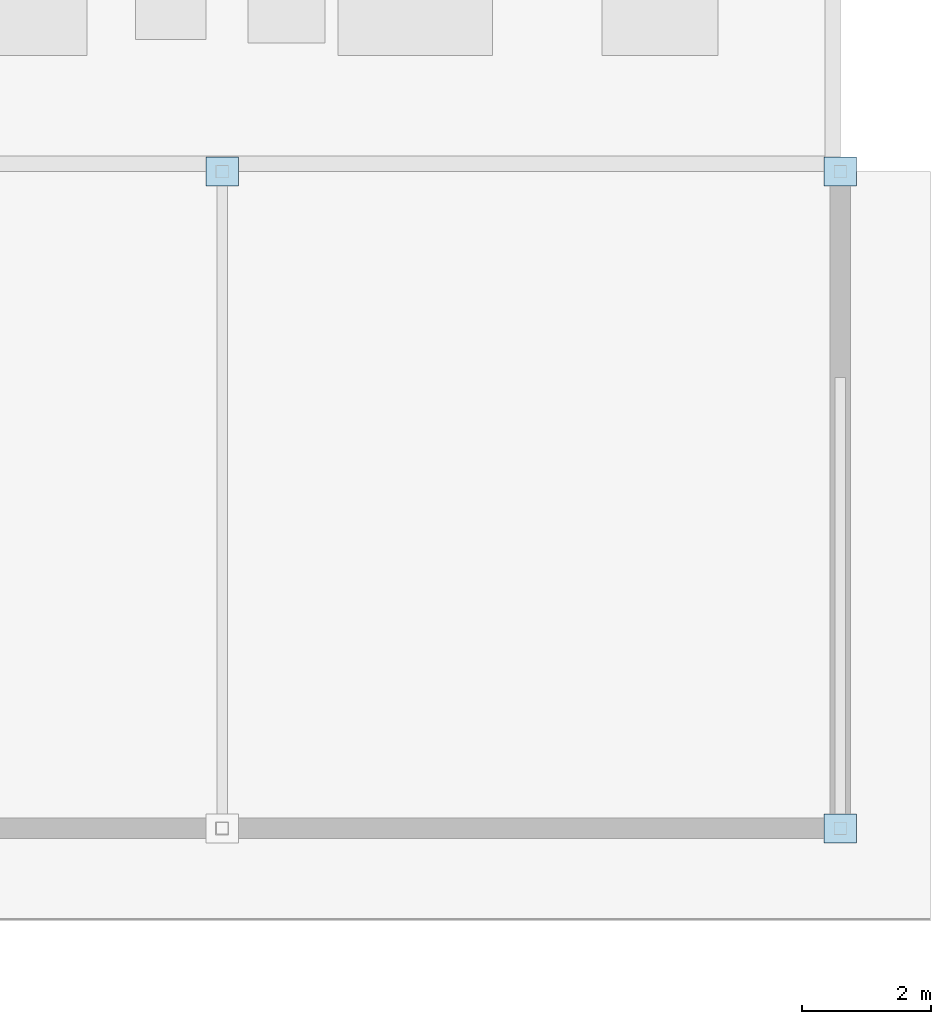
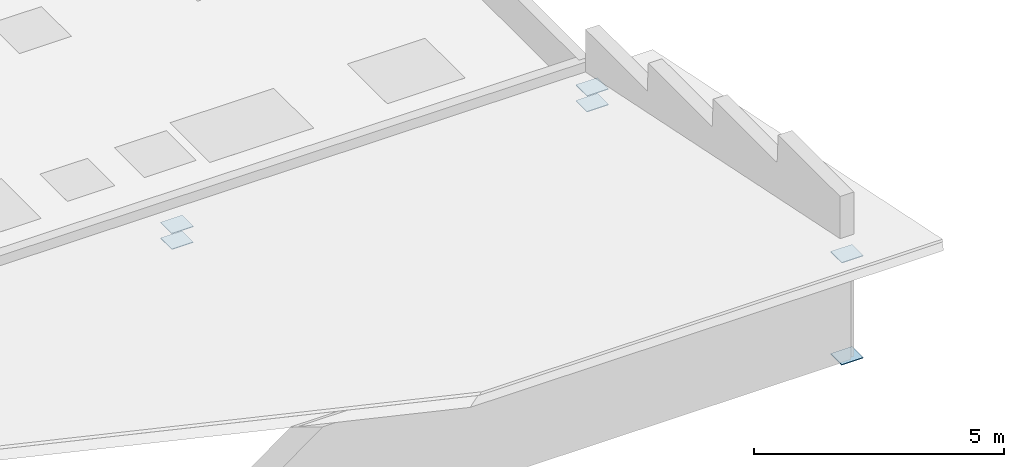
# One storey, part 175 of 200: 6 plates.
"""IFC4 building model written with IfcOpenShell, lengths in metres."""

from ifc_helpers import new_model, si_unit, direction, frame, origin, origin_2d, place, context, subcontext, project, spatial, rectangle, extrude, material, layer, layer_set, type_object, element, save


model = new_model("IFC4")

# Units and contexts
model_context = context("Model", 3, precision=1e-05, world=origin(), true_north=direction((0.0, 1.0)))
body_context = subcontext(model_context, "Body", "Model", "MODEL_VIEW")
ifc_project = project(units=[si_unit("LENGTHUNIT", "METRE"), si_unit("AREAUNIT", "SQUARE_METRE"), si_unit("VOLUMEUNIT", "CUBIC_METRE"), si_unit("PLANEANGLEUNIT", "RADIAN"), si_unit("MASSUNIT", "GRAM", prefix="KILO")], contexts=[model_context])

# Site, building, storey
site_placement = place(None, origin())
site = spatial("IfcSite", under=ifc_project, at=site_placement, CompositionType="ELEMENT")
building_placement = place(site_placement, origin())
building = spatial("IfcBuilding", under=site, at=building_placement, Name="Vondelvale Polytechnic", CompositionType="ELEMENT")
storey_placement = place(building_placement, frame((0.0, 0.0, 13.800048828125)))
storey = spatial("IfcBuildingStorey", under=building, at=storey_placement, Name="L03", CompositionType="ELEMENT", Elevation=13.800048828125)

# Plates
ifc_material = material(Name="Steel Grade 350 (fy = 340 MPa)", Category="steel")
ifc_layer = layer(ifc_material, 0.01611328125)
ifc_layer_set = layer_set([ifc_layer], Name="PLATE-GUSSET-16")
plate_type = type_object("IfcPlateType", Name="PLATE-GUSSET-16", PredefinedType="USERDEFINED", material=ifc_layer_set)
for number, where, z_axis, x_axis, name in (
    (1, (163.199951171875, 81.60009765625, -0.008056640625), (0.0, 0.0, 1.0), (1.0, 0.0, 0.0), "Refectory roof post B connection plate"),
    (2, (163.199951171875, 81.60009765625, 0.3759765625), (0.0, 0.0, 1.0), (1.0, 0.0, 0.0), "Refectory roof post T connection plate"),
    (3, (172.800048828125, 71.39990234375, -0.008056640625), (0.0, 0.0, 1.0), (1.0, 0.0, 0.0), "Refectory roof post B connection plate"),
    (4, (172.800048828125, 71.39990234375, 2.486083984375), (0.0, 0.0, 1.0), (1.0, 0.0, 0.0), "Refectory roof post T connection plate"),
    (5, (172.800048828125, 81.60009765625, -0.008056640625), (0.0, 0.0, 1.0), (1.0, 0.0, 0.0), "Refectory roof post B connection plate"),
    (6, (172.800048828125, 81.60009765625, 0.3759765625), (0.0, 0.0, 1.0), (1.0, 0.0, 0.0), "Refectory roof post T connection plate"),
):
    element("IfcPlate", number, at=place(storey_placement, frame(where, z_axis=z_axis, x_axis=x_axis)), inside=storey, type_object=plate_type, Name=name, ObjectType="GUSSET_PLATE", PredefinedType="USERDEFINED", context=body_context, shape_type="SweptSolid", body=[
        extrude(rectangle(XDim=0.5, YDim=0.449951171875, at=origin_2d()), origin(), (0.0, 0.0, 1.0), 0.01611328125),
    ])

save(model, "model.ifc")
